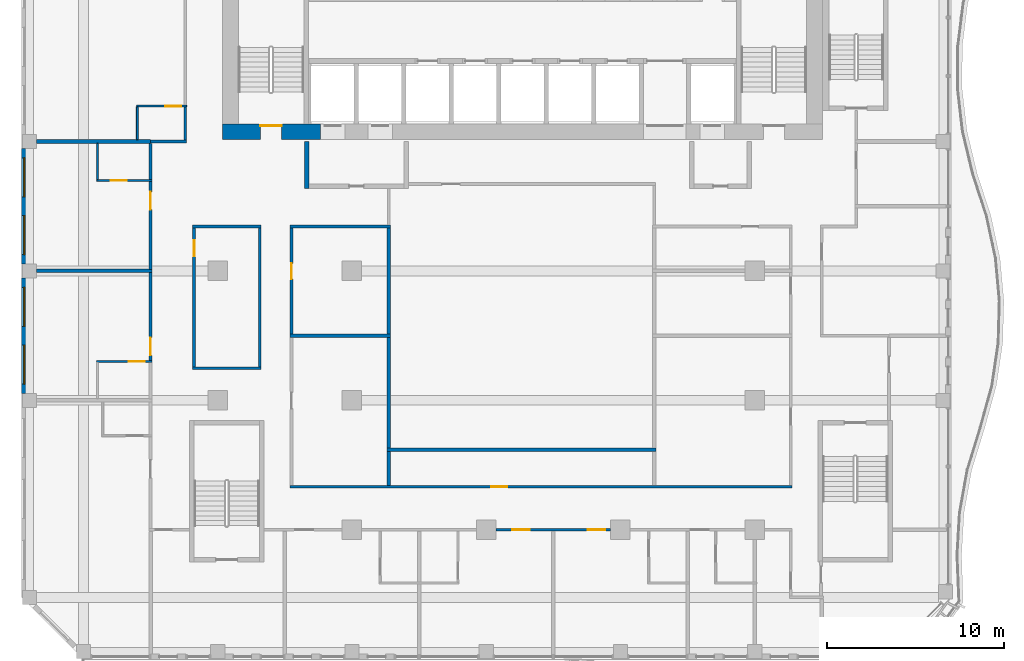
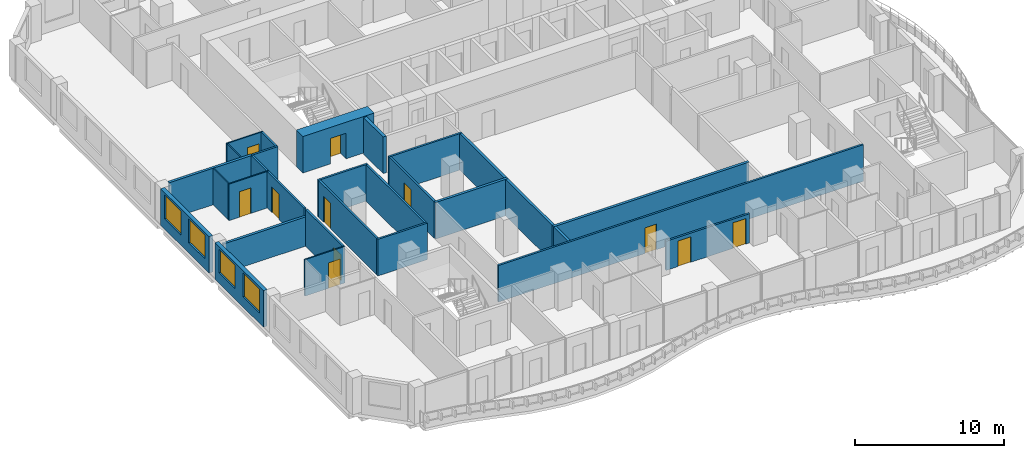
# One storey, part 11 of 23: 29 walls, 11 doors, 4 windows, 15 openings.
"""IFC4 building model written with IfcOpenShell, lengths in metres."""

from ifc_helpers import new_model, si_unit, direction, frame, frame_2d, origin, place, context, subcontext, project, spatial, rectangle, extrude, source, transform, mapped, material, layer, layer_set, type_object, element, fill, save


model = new_model("IFC4")

# Units and contexts
model_context = context("Model", 3, precision=1e-05, world=origin(), true_north=direction((0.0, 1.0)))
body_context = subcontext(model_context, "Body", "Model", "MODEL_VIEW")
ifc_project = project(units=[si_unit("LENGTHUNIT", "METRE"), si_unit("AREAUNIT", "SQUARE_METRE"), si_unit("VOLUMEUNIT", "CUBIC_METRE"), si_unit("PLANEANGLEUNIT", "RADIAN"), si_unit("MASSUNIT", "GRAM", prefix="KILO")], contexts=[model_context])

# Site, building, storey
site_placement = place(None, origin())
site = spatial("IfcSite", under=ifc_project, at=site_placement, CompositionType="ELEMENT")
building_placement = place(site_placement, origin())
building = spatial("IfcBuilding", under=site, at=building_placement, Name="Kilnfold Tower and Market Hall", CompositionType="ELEMENT")
storey_placement = place(building_placement, frame((0.0, 0.0, 160.89990234375)))
storey = spatial("IfcBuildingStorey", under=building, at=storey_placement, Name="L37", CompositionType="ELEMENT", Elevation=160.89990234375)

# Wall, openings, doors
ifc_material_1 = material(Name="Gypsum board on steel studs", Category="steel")
ifc_layer_1 = layer(ifc_material_1, 0.14990234375)
ifc_layer_set_1 = layer_set([ifc_layer_1], Name="Gypsum board on steel studs")
wall_type_1 = type_object("IfcWallType", Name="WALL CORRIDOR 150", PredefinedType="PARTITIONING", material=ifc_layer_set_1)
wall_1_placement = place(storey_placement, frame((-0.449951171875, -13.93798828125, 0.0), z_axis=(0.0, 0.0, 1.0), x_axis=(1.0, 0.0, 0.0)))
wall_1 = element("IfcWall", 1, at=wall_1_placement, inside=storey, type_object=wall_type_1, Name="Partition LY24.4", PredefinedType="PARTITIONING", context=body_context, shape_type="SweptSolid", body=[
    extrude(rectangle(XDim=6.48291015625, YDim=0.14990234375, at=frame_2d((3.241455078125, 0.0))), origin(), (0.0, 0.0, 1.0), 2.400146484375),
])
opening_1_placement = place(wall_1_placement, frame((0.907958984375, 0.0, 0.0)))
opening_1 = element("IfcOpeningElement", 2, at=opening_1_placement, cuts=wall_1, Name="Opening D1", PredefinedType="OPENING", context=body_context, shape_type="SweptSolid", body=[
    extrude(rectangle(XDim=1.0, YDim=2.10009765625, at=frame_2d((0.5, 1.050048828125))), frame((0.0, 0.0849609375, 0.0), z_axis=(0.0, -1.0, 0.0), x_axis=(1.0, 0.0, 0.0)), (0.0, 0.0, 1.0), 0.169921875),
])
opening_2_placement = place(wall_1_placement, frame((5.181884765625, 0.0, 0.0)))
opening_2 = element("IfcOpeningElement", 3, at=opening_2_placement, cuts=wall_1, Name="Opening D1", PredefinedType="OPENING", context=body_context, shape_type="SweptSolid", body=[
    extrude(rectangle(XDim=1.0, YDim=2.10009765625, at=frame_2d((0.5, 1.050048828125))), frame((0.0, 0.0849609375, 0.0), z_axis=(0.0, -1.0, 0.0), x_axis=(1.0, 0.0, 0.0)), (0.0, 0.0, 1.0), 0.169921875),
])
ifc_material_2 = material(Name="Timber veneer door leaf in steel frame", Category="steel")
door_type_1 = type_object("IfcDoorType", Name="DOOR ENTRY 1000 X2100", OperationType="NOTDEFINED", PredefinedType="DOOR", material=ifc_material_2)
door_1_placement = place(opening_1_placement, origin())
door_1 = element("IfcDoor", 4, at=door_1_placement, inside=storey, type_object=door_type_1, Name="Door D1", OperationType="SINGLE_SWING_RIGHT", OverallHeight=2.10009765625, OverallWidth=1.0, PredefinedType="DOOR", context=body_context, shape_type="SweptSolid", body=[
    extrude(rectangle(XDim=1.0, YDim=2.10009765625, at=frame_2d((0.5, 1.050048828125))), frame((0.0, 0.02490234375, 0.0), z_axis=(0.0, -1.0, 0.0), x_axis=(1.0, 0.0, 0.0)), (0.0, 0.0, 1.0), 0.050048828125),
])
fill(opening_1, door_1)
door_2_placement = place(opening_2_placement, origin())
door_2 = element("IfcDoor", 5, at=door_2_placement, inside=storey, type_object=door_type_1, Name="Door D1", OperationType="SINGLE_SWING_LEFT", OverallHeight=2.10009765625, OverallWidth=1.0, PredefinedType="DOOR", context=body_context, shape_type="SweptSolid", body=[
    extrude(rectangle(XDim=1.0, YDim=2.10009765625, at=frame_2d((0.5, 1.050048828125))), frame((0.0, 0.02490234375, 0.0), z_axis=(0.0, -1.0, 0.0), x_axis=(1.0, 0.0, 0.0)), (0.0, 0.0, 1.0), 0.050048828125),
])
fill(opening_2, door_2)

# Wall, opening, door
wall_2_placement = place(storey_placement, frame((-19.958984375, -4.385009765625, 0.0), z_axis=(0.0, 0.0, 1.0), x_axis=(0.0, 1.0, 0.0)))
wall_2 = element("IfcWall", 6, at=wall_2_placement, inside=storey, type_object=wall_type_1, Name="Partition LY24.12", PredefinedType="PARTITIONING", context=body_context, shape_type="SweptSolid", body=[
    extrude(rectangle(XDim=4.98291015625, YDim=0.14990234375, at=frame_2d((2.491455078125, 0.0))), origin(), (0.0, 0.0, 1.0), 3.0),
])
opening_3_placement = place(wall_2_placement, frame((0.302001953125, 0.0, 0.0)))
opening_3 = element("IfcOpeningElement", 7, at=opening_3_placement, cuts=wall_2, Name="Opening D1", PredefinedType="OPENING", context=body_context, shape_type="SweptSolid", body=[
    extrude(rectangle(XDim=1.0, YDim=2.10009765625, at=frame_2d((0.5, 1.050048828125))), frame((0.0, 0.0849609375, 0.0), z_axis=(0.0, -1.0, 0.0), x_axis=(1.0, 0.0, 0.0)), (0.0, 0.0, 1.0), 0.169921875),
])
door_3_placement = place(opening_3_placement, origin())
door_3 = element("IfcDoor", 8, at=door_3_placement, inside=storey, type_object=door_type_1, Name="Door D1", OperationType="SINGLE_SWING_LEFT", OverallHeight=2.10009765625, OverallWidth=1.0, PredefinedType="DOOR", context=body_context, shape_type="SweptSolid", body=[
    extrude(rectangle(XDim=1.0, YDim=2.10009765625, at=frame_2d((0.5, 1.050048828125))), frame((0.0, 0.02490234375, 0.0), z_axis=(0.0, -1.0, 0.0), x_axis=(1.0, 0.0, 0.0)), (0.0, 0.0, 1.0), 0.050048828125),
])
fill(opening_3, door_3)

wall_3_placement = place(storey_placement, frame((-19.958984375, 0.778076171875, 0.0), z_axis=(0.0, 0.0, 1.0), x_axis=(0.0, 1.0, 0.0)))
wall_3 = element("IfcWall", 9, at=wall_3_placement, inside=storey, type_object=wall_type_1, Name="Partition LY24.14", PredefinedType="PARTITIONING", context=body_context, shape_type="SweptSolid", body=[
    extrude(rectangle(XDim=4.98193359375, YDim=0.14990234375, at=frame_2d((2.490966796875, 0.0))), origin(), (0.0, 0.0, 1.0), 3.0),
])
opening_4_placement = place(wall_3_placement, frame((3.373046875, 0.0, 0.0)))
opening_4 = element("IfcOpeningElement", 10, at=opening_4_placement, cuts=wall_3, Name="Opening D1", PredefinedType="OPENING", context=body_context, shape_type="SweptSolid", body=[
    extrude(rectangle(XDim=1.0, YDim=2.10009765625, at=frame_2d((0.5, 1.050048828125))), frame((0.0, 0.0849609375, 0.0), z_axis=(0.0, -1.0, 0.0), x_axis=(1.0, 0.0, 0.0)), (0.0, 0.0, 1.0), 0.169921875),
])
door_4_placement = place(opening_4_placement, origin())
door_4 = element("IfcDoor", 11, at=door_4_placement, inside=storey, type_object=door_type_1, Name="Door D1", OperationType="SINGLE_SWING_LEFT", OverallHeight=2.10009765625, OverallWidth=1.0, PredefinedType="DOOR", context=body_context, shape_type="SweptSolid", body=[
    extrude(rectangle(XDim=1.0, YDim=2.10009765625, at=frame_2d((0.5, 1.050048828125))), frame((0.0, 0.02490234375, 0.0), z_axis=(0.0, -1.0, 0.0), x_axis=(1.0, 0.0, 0.0)), (0.0, 0.0, 1.0), 0.050048828125),
])
fill(opening_4, door_4)

# Walls
wall_4_placement = place(storey_placement, frame((-19.958984375, 5.840087890625, 0.0), z_axis=(0.0, 0.0, 1.0), x_axis=(0.0, 1.0, 0.0)))
element("IfcWall", 12, at=wall_4_placement, inside=storey, type_object=wall_type_1, Name="Partition LY24.15", PredefinedType="PARTITIONING", context=body_context, shape_type="SweptSolid", body=[
    extrude(rectangle(XDim=2.059814453125, YDim=0.14990234375, at=frame_2d((1.02978515625, 0.0))), origin(), (0.0, 0.0, 1.0), 3.0),
])
wall_5_placement = place(storey_placement, frame((-17.925048828125, 8.0, 0.0), z_axis=(0.0, 0.0, 1.0), x_axis=(-1.0, 0.0, 0.0)))
element("IfcWall", 13, at=wall_5_placement, inside=storey, type_object=wall_type_1, Name="Partition LY24.19", PredefinedType="PARTITIONING", context=body_context, shape_type="SweptSolid", body=[
    extrude(rectangle(XDim=2.033935546875, YDim=0.14990234375, at=frame_2d((1.01708984375, 0.0))), origin(), (0.0, 0.0, 1.0), 3.0),
])
wall_6_placement = place(storey_placement, frame((-18.0, 8.074951171875, 0.0), z_axis=(0.0, 0.0, 1.0), x_axis=(0.0, 1.0, 0.0)))
element("IfcWall", 14, at=wall_6_placement, inside=storey, type_object=wall_type_1, Name="Partition LY24.20", PredefinedType="PARTITIONING", context=body_context, shape_type="SweptSolid", body=[
    extrude(rectangle(XDim=1.885009765625, YDim=0.14990234375, at=frame_2d((0.9423828125, 0.0))), origin(), (0.0, 0.0, 1.0), 3.0),
])

# Wall, opening, door
wall_7_placement = place(storey_placement, frame((-12.074951171875, -11.5, 0.0), z_axis=(0.0, 0.0, 1.0), x_axis=(1.0, 0.0, 0.0)))
wall_7 = element("IfcWall", 15, at=wall_7_placement, inside=storey, type_object=wall_type_1, Name="Partition LY24.33", PredefinedType="PARTITIONING", context=body_context, shape_type="SweptSolid", body=[
    extrude(rectangle(XDim=28.349853515625, YDim=0.14990234375, at=frame_2d((14.1748046875, 0.0))), origin(), (0.0, 0.0, 1.0), 3.0),
])
opening_5_placement = place(wall_7_placement, frame((11.373046875, 0.0, 0.0)))
opening_5 = element("IfcOpeningElement", 16, at=opening_5_placement, cuts=wall_7, Name="Opening D2", PredefinedType="OPENING", context=body_context, shape_type="SweptSolid", body=[
    extrude(rectangle(XDim=0.89990234375, YDim=2.10009765625, at=frame_2d((0.449951171875, 1.050048828125))), frame((0.0, 0.0849609375, 0.0), z_axis=(0.0, -1.0, 0.0), x_axis=(1.0, 0.0, 0.0)), (0.0, 0.0, 1.0), 0.169921875),
])
ifc_material_3 = material(Name="Timber veneer door leaf in steel frame", Category="steel")
door_type_2 = type_object("IfcDoorType", Name="DOOR ROOM 900 X2100", OperationType="NOTDEFINED", PredefinedType="DOOR", material=ifc_material_3)
door_5_placement = place(opening_5_placement, origin())
door_5 = element("IfcDoor", 17, at=door_5_placement, inside=storey, type_object=door_type_2, Name="Door D2", OperationType="SINGLE_SWING_RIGHT", OverallHeight=2.10009765625, OverallWidth=0.89990234375, PredefinedType="DOOR", context=body_context, shape_type="SweptSolid", body=[
    extrude(rectangle(XDim=0.89990234375, YDim=2.10009765625, at=frame_2d((0.449951171875, 1.050048828125))), frame((0.0, 0.02490234375, 0.0), z_axis=(0.0, -1.0, 0.0), x_axis=(1.0, 0.0, 0.0)), (0.0, 0.0, 1.0), 0.050048828125),
])
fill(opening_5, door_5)

# Wall
wall_8_placement = place(storey_placement, frame((-12.074951171875, 3.199951171875, 0.0), z_axis=(0.0, 0.0, 1.0), x_axis=(1.0, 0.0, 0.0)))
element("IfcWall", 18, at=wall_8_placement, inside=storey, type_object=wall_type_1, Name="Partition LY24.34", PredefinedType="PARTITIONING", context=body_context, shape_type="SweptSolid", body=[
    extrude(rectangle(XDim=5.675048828125, YDim=0.14990234375, at=frame_2d((2.83740234375, 0.0))), origin(), (0.0, 0.0, 1.0), 3.0),
])

# Wall, opening, door
wall_9_placement = place(storey_placement, frame((-12.0, -2.87890625, 0.0), z_axis=(0.0, 0.0, 1.0), x_axis=(0.0, 1.0, 0.0)))
wall_9 = element("IfcWall", 19, at=wall_9_placement, inside=storey, type_object=wall_type_1, Name="Partition LY24.35", PredefinedType="PARTITIONING", context=body_context, shape_type="SweptSolid", body=[
    extrude(rectangle(XDim=6.00390625, YDim=0.14990234375, at=frame_2d((3.001953125, 0.0))), origin(), (0.0, 0.0, 1.0), 3.0),
])
opening_6_placement = place(wall_9_placement, frame((3.10205078125, 0.0, 0.0)))
opening_6 = element("IfcOpeningElement", 20, at=opening_6_placement, cuts=wall_9, Name="Opening D2", PredefinedType="OPENING", context=body_context, shape_type="SweptSolid", body=[
    extrude(rectangle(XDim=0.89990234375, YDim=2.10009765625, at=frame_2d((0.449951171875, 1.050048828125))), frame((0.0, 0.0849609375, 0.0), z_axis=(0.0, -1.0, 0.0), x_axis=(1.0, 0.0, 0.0)), (0.0, 0.0, 1.0), 0.169921875),
])
door_6_placement = place(opening_6_placement, origin())
door_6 = element("IfcDoor", 21, at=door_6_placement, inside=storey, type_object=door_type_2, Name="Door D2", OperationType="SINGLE_SWING_RIGHT", OverallHeight=2.10009765625, OverallWidth=0.89990234375, PredefinedType="DOOR", context=body_context, shape_type="SweptSolid", body=[
    extrude(rectangle(XDim=0.89990234375, YDim=2.10009765625, at=frame_2d((0.449951171875, 1.050048828125))), frame((0.0, 0.02490234375, 0.0), z_axis=(0.0, -1.0, 0.0), x_axis=(1.0, 0.0, 0.0)), (0.0, 0.0, 1.0), 0.050048828125),
])
fill(opening_6, door_6)

# Wall
wall_10_placement = place(storey_placement, frame((-17.574951171875, 3.199951171875, 0.0), z_axis=(0.0, 0.0, 1.0), x_axis=(1.0, 0.0, 0.0)))
element("IfcWall", 22, at=wall_10_placement, inside=storey, type_object=wall_type_1, Name="Partition LY24.36", PredefinedType="PARTITIONING", context=body_context, shape_type="SweptSolid", body=[
    extrude(rectangle(XDim=3.849853515625, YDim=0.14990234375, at=frame_2d((1.9248046875, 0.0))), origin(), (0.0, 0.0, 1.0), 3.0),
])

# Wall, opening, door
wall_11_placement = place(storey_placement, frame((-17.5, -4.72509765625, 0.0), z_axis=(0.0, 0.0, 1.0), x_axis=(0.0, 1.0, 0.0)))
wall_11 = element("IfcWall", 23, at=wall_11_placement, inside=storey, type_object=wall_type_1, Name="Partition LY24.37", PredefinedType="PARTITIONING", context=body_context, shape_type="SweptSolid", body=[
    extrude(rectangle(XDim=7.85009765625, YDim=0.14990234375, at=frame_2d((3.925048828125, 0.0))), origin(), (0.0, 0.0, 1.0), 3.0),
])
opening_7_placement = place(wall_11_placement, frame((6.24609375, 0.0, 0.0)))
opening_7 = element("IfcOpeningElement", 24, at=opening_7_placement, cuts=wall_11, Name="Opening D2", PredefinedType="OPENING", context=body_context, shape_type="SweptSolid", body=[
    extrude(rectangle(XDim=0.89990234375, YDim=2.10009765625, at=frame_2d((0.449951171875, 1.050048828125))), frame((0.0, 0.0849609375, 0.0), z_axis=(0.0, -1.0, 0.0), x_axis=(1.0, 0.0, 0.0)), (0.0, 0.0, 1.0), 0.169921875),
])
door_7_placement = place(opening_7_placement, origin())
door_7 = element("IfcDoor", 25, at=door_7_placement, inside=storey, type_object=door_type_2, Name="Door D2", OperationType="SINGLE_SWING_LEFT", OverallHeight=2.10009765625, OverallWidth=0.89990234375, PredefinedType="DOOR", context=body_context, shape_type="SweptSolid", body=[
    extrude(rectangle(XDim=0.89990234375, YDim=2.10009765625, at=frame_2d((0.449951171875, 1.050048828125))), frame((0.0, 0.02490234375, 0.0), z_axis=(0.0, -1.0, 0.0), x_axis=(1.0, 0.0, 0.0)), (0.0, 0.0, 1.0), 0.050048828125),
])
fill(opening_7, door_7)

# Walls
wall_12_placement = place(storey_placement, frame((-13.72509765625, -4.800048828125, 0.0), z_axis=(0.0, 0.0, 1.0), x_axis=(-1.0, 0.0, 0.0)))
element("IfcWall", 26, at=wall_12_placement, inside=storey, type_object=wall_type_1, Name="Partition LY24.38", PredefinedType="PARTITIONING", context=body_context, shape_type="SweptSolid", body=[
    extrude(rectangle(XDim=3.849853515625, YDim=0.14990234375, at=frame_2d((1.9248046875, 0.0))), origin(), (0.0, 0.0, 1.0), 3.0),
])
wall_13_placement = place(storey_placement, frame((-13.800048828125, 3.125, 0.0), z_axis=(0.0, 0.0, 1.0), x_axis=(0.0, -1.0, 0.0)))
element("IfcWall", 27, at=wall_13_placement, inside=storey, type_object=wall_type_1, Name="Partition LY24.39", PredefinedType="PARTITIONING", context=body_context, shape_type="SweptSolid", body=[
    extrude(rectangle(XDim=7.85009765625, YDim=0.14990234375, at=frame_2d((3.925048828125, 0.0))), origin(), (0.0, 0.0, 1.0), 3.0),
])

# Wall, opening, door
ifc_material_4 = material(Name="Gypsum board on steel studs", Category="steel")
ifc_layer_2 = layer(ifc_material_4, 0.10009765625)
ifc_layer_set_2 = layer_set([ifc_layer_2], Name="Gypsum board on steel studs")
wall_type_2 = type_object("IfcWallType", Name="WALL PARTITION 100", PredefinedType="PARTITIONING", material=ifc_layer_set_2)
wall_14_placement = place(storey_placement, frame((-23.010986328125, -4.425048828125, 0.0), z_axis=(0.0, 0.0, 1.0), x_axis=(1.0, 0.0, 0.0)))
wall_14 = element("IfcWall", 28, at=wall_14_placement, inside=storey, type_object=wall_type_2, Name="Partition LY24.69", PredefinedType="PARTITIONING", context=body_context, shape_type="SweptSolid", body=[
    extrude(rectangle(XDim=3.125, YDim=0.10009765625, at=frame_2d((1.5625, 0.0))), origin(), (0.0, 0.0, 1.0), 3.0),
])
opening_8_placement = place(wall_14_placement, frame((1.822021484375, 0.0, 0.0)))
opening_8 = element("IfcOpeningElement", 29, at=opening_8_placement, cuts=wall_14, Name="Opening D3", PredefinedType="OPENING", context=body_context, shape_type="SweptSolid", body=[
    extrude(rectangle(XDim=0.89990234375, YDim=2.10009765625, at=frame_2d((0.449951171875, 1.050048828125))), frame((0.0, 0.06005859375, 0.0), z_axis=(0.0, -1.0, 0.0), x_axis=(1.0, 0.0, 0.0)), (0.0, 0.0, 1.0), 0.1201171875),
])
ifc_material_5 = material(Name="Timber veneer door leaf in steel frame", Category="steel")
door_type_3 = type_object("IfcDoorType", Name="DOOR WC 900 X2100", OperationType="NOTDEFINED", PredefinedType="DOOR", material=ifc_material_5)
door_8_placement = place(opening_8_placement, origin())
door_8 = element("IfcDoor", 30, at=door_8_placement, inside=storey, type_object=door_type_3, Name="Door D3", OperationType="SINGLE_SWING_LEFT", OverallHeight=2.10009765625, OverallWidth=0.89990234375, PredefinedType="DOOR", context=body_context, shape_type="SweptSolid", body=[
    extrude(rectangle(XDim=0.89990234375, YDim=2.10009765625, at=frame_2d((0.449951171875, 1.050048828125))), frame((0.0, 0.02490234375, 0.0), z_axis=(0.0, -1.0, 0.0), x_axis=(1.0, 0.0, 0.0)), (0.0, 0.0, 1.0), 0.050048828125),
])
fill(opening_8, door_8)

# Wall
wall_15_placement = place(storey_placement, frame((-22.9609375, 5.85009765625, 0.0), z_axis=(0.0, 0.0, 1.0), x_axis=(0.0, 1.0, 0.0)))
element("IfcWall", 31, at=wall_15_placement, inside=storey, type_object=wall_type_2, Name="Partition LY24.71", PredefinedType="PARTITIONING", context=body_context, shape_type="SweptSolid", body=[
    extrude(rectangle(XDim=2.0498046875, YDim=0.10009765625, at=frame_2d((1.02490234375, 0.0))), origin(), (0.0, 0.0, 1.0), 3.0),
])

# Wall, opening, door
wall_16_placement = place(storey_placement, frame((-19.885986328125, 5.800048828125, 0.0), z_axis=(0.0, 0.0, 1.0), x_axis=(-1.0, 0.0, 0.0)))
wall_16 = element("IfcWall", 32, at=wall_16_placement, inside=storey, type_object=wall_type_2, Name="Partition LY24.72", PredefinedType="PARTITIONING", context=body_context, shape_type="SweptSolid", body=[
    extrude(rectangle(XDim=3.125, YDim=0.10009765625, at=frame_2d((1.5625, 0.0))), origin(), (0.0, 0.0, 1.0), 3.0),
])
opening_9_placement = place(wall_16_placement, frame((1.4169921875, 0.0, 0.0)))
opening_9 = element("IfcOpeningElement", 33, at=opening_9_placement, cuts=wall_16, Name="Opening D3", PredefinedType="OPENING", context=body_context, shape_type="SweptSolid", body=[
    extrude(rectangle(XDim=0.89990234375, YDim=2.10009765625, at=frame_2d((0.449951171875, 1.050048828125))), frame((0.0, 0.06005859375, 0.0), z_axis=(0.0, -1.0, 0.0), x_axis=(1.0, 0.0, 0.0)), (0.0, 0.0, 1.0), 0.1201171875),
])
door_9_placement = place(opening_9_placement, origin())
door_9 = element("IfcDoor", 34, at=door_9_placement, inside=storey, type_object=door_type_3, Name="Door D3", OperationType="SINGLE_SWING_LEFT", OverallHeight=2.10009765625, OverallWidth=0.89990234375, PredefinedType="DOOR", context=body_context, shape_type="SweptSolid", body=[
    extrude(rectangle(XDim=0.89990234375, YDim=2.10009765625, at=frame_2d((0.449951171875, 1.050048828125))), frame((0.0, 0.02490234375, 0.0), z_axis=(0.0, -1.0, 0.0), x_axis=(1.0, 0.0, 0.0)), (0.0, 0.0, 1.0), 0.050048828125),
])
fill(opening_9, door_9)

wall_17_placement = place(storey_placement, frame((-20.751953125, 10.0, 0.0), z_axis=(0.0, 0.0, 1.0), x_axis=(1.0, 0.0, 0.0)))
wall_17 = element("IfcWall", 35, at=wall_17_placement, inside=storey, type_object=wall_type_2, Name="Partition LY24.74", PredefinedType="PARTITIONING", context=body_context, shape_type="SweptSolid", body=[
    extrude(rectangle(XDim=2.824951171875, YDim=0.10009765625, at=frame_2d((1.41259765625, 0.0))), origin(), (0.0, 0.0, 1.0), 3.0),
])
opening_10_placement = place(wall_17_placement, frame((1.623046875, 0.0, 0.0)))
opening_10 = element("IfcOpeningElement", 36, at=opening_10_placement, cuts=wall_17, Name="Opening D3", PredefinedType="OPENING", context=body_context, shape_type="SweptSolid", body=[
    extrude(rectangle(XDim=0.89990234375, YDim=2.10009765625, at=frame_2d((0.449951171875, 1.050048828125))), frame((0.0, 0.06005859375, 0.0), z_axis=(0.0, -1.0, 0.0), x_axis=(1.0, 0.0, 0.0)), (0.0, 0.0, 1.0), 0.1201171875),
])
door_10_placement = place(opening_10_placement, origin())
door_10 = element("IfcDoor", 37, at=door_10_placement, inside=storey, type_object=door_type_3, Name="Door D3", OperationType="SINGLE_SWING_LEFT", OverallHeight=2.10009765625, OverallWidth=0.89990234375, PredefinedType="DOOR", context=body_context, shape_type="SweptSolid", body=[
    extrude(rectangle(XDim=0.89990234375, YDim=2.10009765625, at=frame_2d((0.449951171875, 1.050048828125))), frame((0.0, 0.02490234375, 0.0), z_axis=(0.0, -1.0, 0.0), x_axis=(1.0, 0.0, 0.0)), (0.0, 0.0, 1.0), 0.050048828125),
])
fill(opening_10, door_10)

# Walls
wall_18_placement = place(storey_placement, frame((-20.701904296875, 8.10009765625, 0.0), z_axis=(0.0, 0.0, 1.0), x_axis=(0.0, 1.0, 0.0)))
element("IfcWall", 38, at=wall_18_placement, inside=storey, type_object=wall_type_2, Name="Partition LY24.75", PredefinedType="PARTITIONING", context=body_context, shape_type="SweptSolid", body=[
    extrude(rectangle(XDim=1.849853515625, YDim=0.10009765625, at=frame_2d((0.9248046875, 0.0))), origin(), (0.0, 0.0, 1.0), 3.0),
])
ifc_material_6 = material(Name="Gypsum board on steel studs", Category="steel")
ifc_layer_3 = layer(ifc_material_6, 0.199951171875)
ifc_layer_set_3 = layer_set([ifc_layer_3], Name="Gypsum board on steel studs")
wall_type_3 = type_object("IfcWallType", Name="WALL PARTY 200", PredefinedType="PARTITIONING", material=ifc_layer_set_3)
wall_19_placement = place(storey_placement, frame((-26.39990234375, 0.68798828125, 0.0), z_axis=(0.0, 0.0, 1.0), x_axis=(1.0, 0.0, 0.0)))
element("IfcWall", 39, at=wall_19_placement, inside=storey, type_object=wall_type_3, Name="Partition LY24.70", PredefinedType="PARTITIONING", context=body_context, shape_type="SweptSolid", body=[
    extrude(rectangle(XDim=6.513916015625, YDim=0.199951171875, at=frame_2d((3.2568359375, 0.0))), origin(), (0.0, 0.0, 1.0), 2.400146484375),
])
wall_20_placement = place(storey_placement, frame((-26.39990234375, 8.0, 0.0), z_axis=(0.0, 0.0, 1.0), x_axis=(1.0, 0.0, 0.0)))
element("IfcWall", 40, at=wall_20_placement, inside=storey, type_object=wall_type_3, Name="Partition LY24.73", PredefinedType="PARTITIONING", context=body_context, shape_type="SweptSolid", body=[
    extrude(rectangle(XDim=6.43896484375, YDim=0.199951171875, at=frame_2d((3.219482421875, 0.0))), origin(), (0.0, 0.0, 1.0), 3.0),
])
wall_21_placement = place(storey_placement, frame((-12.072998046875, -2.968994140625, 0.0), z_axis=(0.0, 0.0, 1.0), x_axis=(1.0, 0.0, 0.0)))
element("IfcWall", 41, at=wall_21_placement, inside=storey, type_object=wall_type_3, Name="Partition LY24.104", PredefinedType="PARTITIONING", context=body_context, shape_type="SweptSolid", body=[
    extrude(rectangle(XDim=5.673095703125, YDim=0.199951171875, at=frame_2d((2.83642578125, 0.0))), origin(), (0.0, 0.0, 1.0), 3.0),
])
wall_22_placement = place(storey_placement, frame((-6.5, -11.423095703125, 0.0), z_axis=(0.0, 0.0, 1.0), x_axis=(0.0, 1.0, 0.0)))
element("IfcWall", 42, at=wall_22_placement, inside=storey, type_object=wall_type_3, Name="Partition LY24.105", PredefinedType="PARTITIONING", context=body_context, shape_type="SweptSolid", body=[
    extrude(rectangle(XDim=1.923095703125, YDim=0.199951171875, at=frame_2d((0.96142578125, 0.0))), origin(), (0.0, 0.0, 1.0), 3.0),
])
wall_23_placement = place(storey_placement, frame((-6.5, -9.300048828125, 0.0), z_axis=(0.0, 0.0, 1.0), x_axis=(0.0, 1.0, 0.0)))
element("IfcWall", 43, at=wall_23_placement, inside=storey, type_object=wall_type_3, Name="Partition LY24.106", PredefinedType="PARTITIONING", context=body_context, shape_type="SweptSolid", body=[
    extrude(rectangle(XDim=6.23095703125, YDim=0.199951171875, at=frame_2d((3.115478515625, 0.0))), origin(), (0.0, 0.0, 1.0), 3.0),
])
wall_24_placement = place(storey_placement, frame((-6.5, -2.868896484375, 0.0), z_axis=(0.0, 0.0, 1.0), x_axis=(0.0, 1.0, 0.0)))
element("IfcWall", 44, at=wall_24_placement, inside=storey, type_object=wall_type_3, Name="Partition LY24.107", PredefinedType="PARTITIONING", context=body_context, shape_type="SweptSolid", body=[
    extrude(rectangle(XDim=5.991943359375, YDim=0.199951171875, at=frame_2d((2.99609375, 0.0))), origin(), (0.0, 0.0, 1.0), 3.0),
])
wall_25_placement = place(storey_placement, frame((8.60009765625, -9.39990234375, 0.0), z_axis=(0.0, 0.0, 1.0), x_axis=(-1.0, 0.0, 0.0)))
element("IfcWall", 45, at=wall_25_placement, inside=storey, type_object=wall_type_3, Name="Partition LY24.109", PredefinedType="PARTITIONING", context=body_context, shape_type="SweptSolid", body=[
    extrude(rectangle(XDim=15.2001953125, YDim=0.199951171875, at=frame_2d((7.60009765625, 0.0))), origin(), (0.0, 0.0, 1.0), 3.0),
])

# Wall, opening, door
ifc_material_7 = material(Name="Concrete C70", Category="concrete")
ifc_layer_4 = layer(ifc_material_7, 0.89990234375)
ifc_layer_set_4 = layer_set([ifc_layer_4], Name="Concrete C70")
wall_type_4 = type_object("IfcWallType", Name="CORE WALL 900 C70", PredefinedType="SHEAR", material=ifc_layer_set_4)
shared_shape_1 = source(origin(), body_context, "Body", "SweptSolid", [
    extrude(rectangle(XDim=5.52978515625, YDim=0.89990234375, at=frame_2d((2.764892578125, 0.0))), origin(), (0.0, 0.0, 1.0), 3.0),
])
wall_26_placement = place(storey_placement, frame((-15.89990234375, 8.550048828125, 0.0), z_axis=(0.0, 0.0, 1.0), x_axis=(1.0, 0.0, 0.0)))
wall_26 = element("IfcWall", 46, at=wall_26_placement, inside=storey, type_object=wall_type_4, Name="Core outer wall south", PredefinedType="SHEAR", context=body_context, shape_type="MappedRepresentation", body=[
    mapped(shared_shape_1, transform((0.0, 0.0, 0.0))),
])
opening_11_placement = place(wall_26_placement, frame((2.14990234375, 0.0, 0.0)))
opening_11 = element("IfcOpeningElement", 47, at=opening_11_placement, cuts=wall_26, Name="Opening SD1", PredefinedType="OPENING", context=body_context, shape_type="SweptSolid", body=[
    extrude(rectangle(XDim=1.199951171875, YDim=2.10009765625, at=frame_2d((0.60009765625, 1.050048828125))), frame((0.0, 0.4599609375, 0.0), z_axis=(0.0, -1.0, 0.0), x_axis=(1.0, 0.0, 0.0)), (0.0, 0.0, 1.0), 0.919921875),
])
ifc_material_8 = material(Name="Steel door set with fire-resisting leaf", Category="steel")
door_type_4 = type_object("IfcDoorType", Name="STAIR FLOOR DOOR 1200X2100", OperationType="NOTDEFINED", PredefinedType="DOOR", material=ifc_material_8)
door_11_placement = place(opening_11_placement, origin())
door_11 = element("IfcDoor", 48, at=door_11_placement, inside=storey, type_object=door_type_4, Name="Exit stair ST1 door", OperationType="DOUBLE_DOOR_SINGLE_SWING", OverallHeight=2.10009765625, OverallWidth=1.199951171875, PredefinedType="DOOR", context=body_context, shape_type="SweptSolid", body=[
    extrude(rectangle(XDim=1.199951171875, YDim=2.10009765625, at=frame_2d((0.60009765625, 1.050048828125))), frame((0.0, 0.35498046875, 0.0), z_axis=(0.0, -1.0, 0.0), x_axis=(1.0, 0.0, 0.0)), (0.0, 0.0, 1.0), 0.050048828125),
])
fill(opening_11, door_11)

# Wall, openings, windows
ifc_material_9 = material(Name="Precast concrete C50/60", Category="concrete")
ifc_layer_5 = layer(ifc_material_9, 0.300048828125)
ifc_layer_set_5 = layer_set([ifc_layer_5], Name="Precast concrete C50/60")
wall_type_5 = type_object("IfcWallType", Name="PRECAST WALL 300", PredefinedType="SOLIDWALL", material=ifc_layer_set_5)
shared_shape_2 = source(origin(), body_context, "Body", "SweptSolid", [
    extrude(rectangle(XDim=6.5126953125, YDim=0.300048828125, at=frame_2d((3.25634765625, 0.0))), origin(), (0.0, 0.0, 1.0), 3.0),
])
wall_27_placement = place(storey_placement, frame((-27.10009765625, 7.60009765625, 0.0), z_axis=(0.0, 0.0, 1.0), x_axis=(0.0, -1.0, 0.0)))
wall_27 = element("IfcWall", 49, at=wall_27_placement, inside=storey, type_object=wall_type_5, Name="External wall L37 W", PredefinedType="SOLIDWALL", context=body_context, shape_type="MappedRepresentation", body=[
    mapped(shared_shape_2, transform((0.0, 0.0, 0.0))),
])
opening_12_placement = place(wall_27_placement, frame((0.528076171875, 0.0, 0.85009765625)))
opening_12 = element("IfcOpeningElement", 50, at=opening_12_placement, cuts=wall_27, Name="Opening W2", PredefinedType="OPENING", context=body_context, shape_type="SweptSolid", body=[
    extrude(rectangle(XDim=2.199951171875, YDim=1.949951171875, at=frame_2d((1.10009765625, 0.97509765625))), frame((0.0, 0.16015625, 0.0), z_axis=(0.0, -1.0, 0.0), x_axis=(1.0, 0.0, 0.0)), (0.0, 0.0, 1.0), 0.320068359375),
])
opening_13_placement = place(wall_27_placement, frame((3.784423828125, 0.0, 0.85009765625)))
opening_13 = element("IfcOpeningElement", 51, at=opening_13_placement, cuts=wall_27, Name="Opening W2", PredefinedType="OPENING", context=body_context, shape_type="SweptSolid", body=[
    extrude(rectangle(XDim=2.199951171875, YDim=1.949951171875, at=frame_2d((1.10009765625, 0.97509765625))), frame((0.0, 0.16015625, 0.0), z_axis=(0.0, -1.0, 0.0), x_axis=(1.0, 0.0, 0.0)), (0.0, 0.0, 1.0), 0.320068359375),
])
ifc_material_10 = material(Name="Aluminium frame and double glazing", Category="aluminium")
window_type = type_object("IfcWindowType", Name="WINDOW W2 2200X1950", PartitioningType="SINGLE_PANEL", PredefinedType="WINDOW", material=ifc_material_10)
window_1_placement = place(opening_12_placement, origin())
window_1 = element("IfcWindow", 52, at=window_1_placement, inside=storey, type_object=window_type, Name="Window W2 L37 W-1", OverallHeight=1.949951171875, OverallWidth=2.199951171875, PartitioningType="SINGLE_PANEL", PredefinedType="WINDOW", context=body_context, shape_type="SweptSolid", body=[
    extrude(rectangle(XDim=2.199951171875, YDim=1.949951171875, at=frame_2d((1.10009765625, 0.97509765625))), frame((0.0, 0.030029296875, 0.0), z_axis=(0.0, -1.0, 0.0), x_axis=(1.0, 0.0, 0.0)), (0.0, 0.0, 1.0), 0.06005859375),
])
fill(opening_12, window_1)
window_2_placement = place(opening_13_placement, origin())
window_2 = element("IfcWindow", 53, at=window_2_placement, inside=storey, type_object=window_type, Name="Window W2 L37 W-2", OverallHeight=1.949951171875, OverallWidth=2.199951171875, PartitioningType="SINGLE_PANEL", PredefinedType="WINDOW", context=body_context, shape_type="SweptSolid", body=[
    extrude(rectangle(XDim=2.199951171875, YDim=1.949951171875, at=frame_2d((1.10009765625, 0.97509765625))), frame((0.0, 0.030029296875, 0.0), z_axis=(0.0, -1.0, 0.0), x_axis=(1.0, 0.0, 0.0)), (0.0, 0.0, 1.0), 0.06005859375),
])
fill(opening_13, window_2)

wall_28_placement = place(storey_placement, frame((-27.10009765625, 0.28759765625, 0.0), z_axis=(0.0, 0.0, 1.0), x_axis=(0.0, -1.0, 0.0)))
wall_28 = element("IfcWall", 54, at=wall_28_placement, inside=storey, type_object=wall_type_5, Name="External wall L37 W", PredefinedType="SOLIDWALL", context=body_context, shape_type="MappedRepresentation", body=[
    mapped(shared_shape_2, transform((0.0, 0.0, 0.0))),
])
opening_14_placement = place(wall_28_placement, frame((0.5283203125, 0.0, 0.85009765625)))
opening_14 = element("IfcOpeningElement", 55, at=opening_14_placement, cuts=wall_28, Name="Opening W2", PredefinedType="OPENING", context=body_context, shape_type="SweptSolid", body=[
    extrude(rectangle(XDim=2.199951171875, YDim=1.949951171875, at=frame_2d((1.10009765625, 0.97509765625))), frame((0.0, 0.16015625, 0.0), z_axis=(0.0, -1.0, 0.0), x_axis=(1.0, 0.0, 0.0)), (0.0, 0.0, 1.0), 0.320068359375),
])
opening_15_placement = place(wall_28_placement, frame((3.784423828125, 0.0, 0.85009765625)))
opening_15 = element("IfcOpeningElement", 56, at=opening_15_placement, cuts=wall_28, Name="Opening W2", PredefinedType="OPENING", context=body_context, shape_type="SweptSolid", body=[
    extrude(rectangle(XDim=2.199951171875, YDim=1.949951171875, at=frame_2d((1.10009765625, 0.97509765625))), frame((0.0, 0.16015625, 0.0), z_axis=(0.0, -1.0, 0.0), x_axis=(1.0, 0.0, 0.0)), (0.0, 0.0, 1.0), 0.320068359375),
])
window_3_placement = place(opening_14_placement, origin())
window_3 = element("IfcWindow", 57, at=window_3_placement, inside=storey, type_object=window_type, Name="Window W2 L37 W-1", OverallHeight=1.949951171875, OverallWidth=2.199951171875, PartitioningType="SINGLE_PANEL", PredefinedType="WINDOW", context=body_context, shape_type="SweptSolid", body=[
    extrude(rectangle(XDim=2.199951171875, YDim=1.949951171875, at=frame_2d((1.10009765625, 0.97509765625))), frame((0.0, 0.030029296875, 0.0), z_axis=(0.0, -1.0, 0.0), x_axis=(1.0, 0.0, 0.0)), (0.0, 0.0, 1.0), 0.06005859375),
])
fill(opening_14, window_3)
window_4_placement = place(opening_15_placement, origin())
window_4 = element("IfcWindow", 58, at=window_4_placement, inside=storey, type_object=window_type, Name="Window W2 L37 W-2", OverallHeight=1.949951171875, OverallWidth=2.199951171875, PartitioningType="SINGLE_PANEL", PredefinedType="WINDOW", context=body_context, shape_type="SweptSolid", body=[
    extrude(rectangle(XDim=2.199951171875, YDim=1.949951171875, at=frame_2d((1.10009765625, 0.97509765625))), frame((0.0, 0.030029296875, 0.0), z_axis=(0.0, -1.0, 0.0), x_axis=(1.0, 0.0, 0.0)), (0.0, 0.0, 1.0), 0.06005859375),
])
fill(opening_15, window_4)

# Wall
ifc_material_11 = material(Name="Gypsum shaft wall system")
ifc_layer_6 = layer(ifc_material_11, 0.25)
ifc_layer_set_6 = layer_set([ifc_layer_6], Name="Gypsum shaft wall system")
wall_type_6 = type_object("IfcWallType", Name="LOBBY WALL 250", PredefinedType="PARTITIONING", material=ifc_layer_set_6)
shared_shape_3 = source(origin(), body_context, "Body", "SweptSolid", [
    extrude(rectangle(XDim=2.64990234375, YDim=0.25, at=frame_2d((1.324951171875, 0.0))), origin(), (0.0, 0.0, 1.0), 3.0),
])
wall_29_placement = place(storey_placement, frame((-11.135009765625, 5.35009765625, 0.0), z_axis=(0.0, 0.0, 1.0), x_axis=(0.0, 1.0, 0.0)))
element("IfcWall", 59, at=wall_29_placement, inside=storey, type_object=wall_type_6, Name="Firefighting lobby wall", PredefinedType="PARTITIONING", context=body_context, shape_type="MappedRepresentation", body=[
    mapped(shared_shape_3, transform((0.0, 0.0, 0.0))),
])

save(model, "model.ifc")
